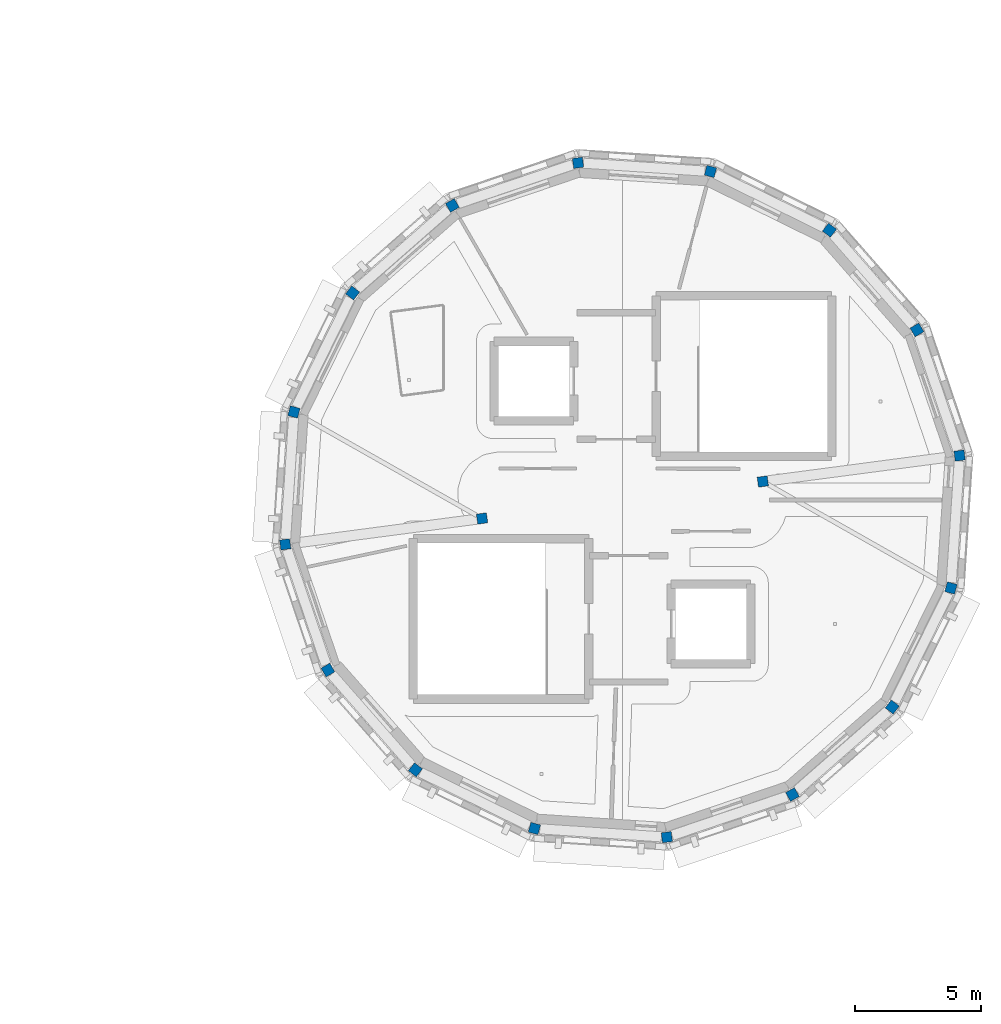
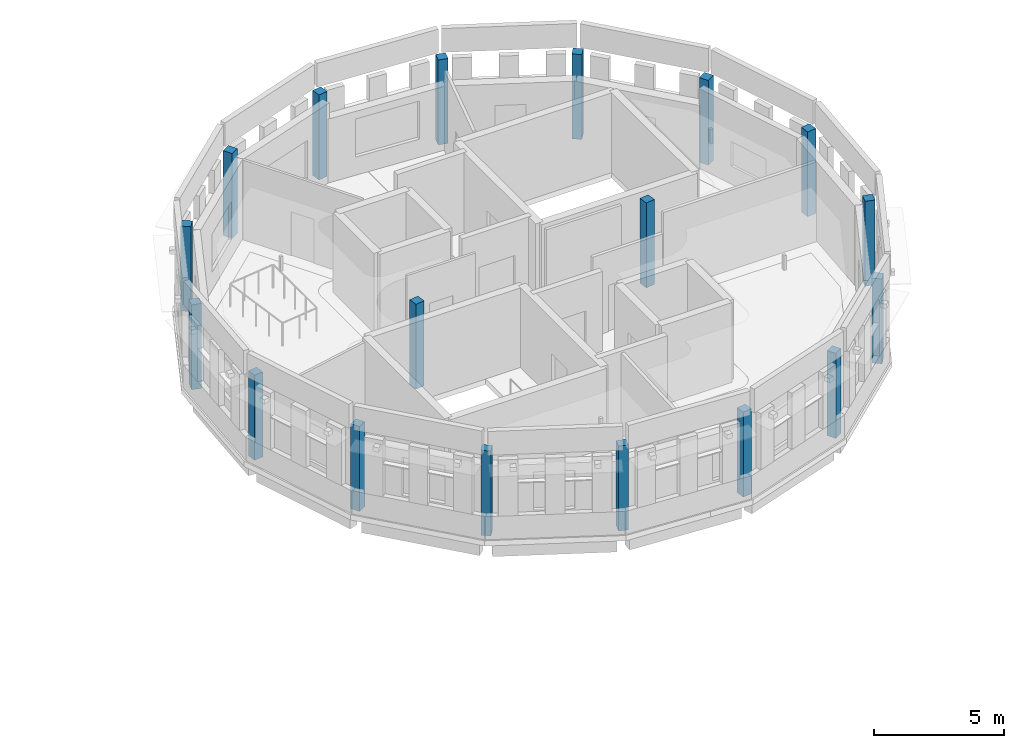
# One storey, part 1 of 18: 18 columns.
"""IFC4 building model written with IfcOpenShell, lengths in metres."""

import ifcopenshell
import ifcopenshell.guid

model = None  # the IFC model being written
_history = None  # IfcOwnerHistory: only IFC2X3 demands one
_inside = {}  # id of a spatial element -> (the spatial element, [elements in it])
_under = {}  # id of a project, library or spatial element -> (it, [spatial elements below it])
_declared = {}  # id of a project -> (the project, [libraries it declares])
_typed = {}  # id of a type object -> (the type object, [elements of that type])
_made_of = {}  # id of a material, layer set ... -> (it, [elements and type objects made of it])


def new_model(schema):
    """Start an empty IFC model of exactly this schema.

    Asked for "IFC4X3", IfcOpenShell would pick the latest addendum, in which some entities
    have other attributes; the version numbers below select the first issue.
    IFC2X3 requires an IfcOwnerHistory on every rooted entity: one is made here for all.
    """
    global model, _history
    if schema == "IFC4X3":
        model = ifcopenshell.file(schema_version=(4, 3, 0, 0))
    else:
        model = ifcopenshell.file(schema=schema)
    _inside.clear()
    _under.clear()
    _declared.clear()
    _typed.clear()
    _made_of.clear()
    _history = None
    if model.schema == "IFC2X3":
        org = make("IfcOrganization", Name="unknown")
        user = make(
            "IfcPersonAndOrganization",
            ThePerson=make("IfcPerson", FamilyName="unknown"),
            TheOrganization=org,
        )
        app = make(
            "IfcApplication",
            ApplicationDeveloper=org,
            Version="unknown",
            ApplicationFullName="unknown",
            ApplicationIdentifier="unknown",
        )
        _history = make(
            "IfcOwnerHistory",
            OwningUser=user,
            OwningApplication=app,
            ChangeAction="ADDED",
            CreationDate=0,
        )
    return model


def make(cls, **values):
    """One entity of the class cls with the attributes given. An attribute that is None is left unset."""
    return model.create_entity(
        cls, **{name: value for name, value in values.items() if value is not None}
    )


def rooted(cls, **values):
    """An entity with a GlobalId (a new one), such as an element, a storey or a relation."""
    return make(cls, GlobalId=ifcopenshell.guid.new(), OwnerHistory=_history, **values)


def si_unit(unit_type, name, prefix=None):
    """IfcSIUnit, for example si_unit("LENGTHUNIT", "METRE", prefix="MILLI")."""
    return make("IfcSIUnit", UnitType=unit_type, Prefix=prefix, Name=name)


def assignment(units):
    """IfcUnitAssignment: the units of a project."""
    return None if units is None else make("IfcUnitAssignment", Units=units)


def point(xyz):
    """IfcCartesianPoint."""
    return None if xyz is None else make("IfcCartesianPoint", Coordinates=xyz)


def direction(xyz):
    """IfcDirection."""
    return None if xyz is None else make("IfcDirection", DirectionRatios=xyz)


def frame(location, z_axis=None, x_axis=None):
    """IfcAxis2Placement3D, a coordinate frame: its origin and axes. An axis left out is left unset."""
    return make(
        "IfcAxis2Placement3D",
        Location=point(location),
        Axis=direction(z_axis),
        RefDirection=direction(x_axis),
    )


def frame_2d(location, x_axis=None):
    """IfcAxis2Placement2D, a coordinate frame in the plane: its origin and x axis."""
    return make(
        "IfcAxis2Placement2D", Location=point(location), RefDirection=direction(x_axis)
    )


def origin():
    """The frame at (0, 0, 0) with its axes left unset."""
    return frame((0.0, 0.0, 0.0))


def origin_2d():
    """The frame at (0, 0) in the plane with its x axis left unset."""
    return frame_2d((0.0, 0.0))


def place(relative_to, where):
    """IfcLocalPlacement: puts the frame where relative to a parent placement (None: the world)."""
    return make(
        "IfcLocalPlacement", PlacementRelTo=relative_to, RelativePlacement=where
    )


def context(
    kind, dimensions, precision=None, world=None, true_north=None, identifier=None
):
    """IfcGeometricRepresentationContext, for example the 3D "Model" context."""
    return make(
        "IfcGeometricRepresentationContext",
        ContextIdentifier=identifier,
        ContextType=kind,
        CoordinateSpaceDimension=dimensions,
        Precision=precision,
        WorldCoordinateSystem=world,
        TrueNorth=true_north,
    )


def subcontext(parent, identifier, kind, view, scale=None):
    """IfcGeometricRepresentationSubContext, for example "Body" below "Model"."""
    return make(
        "IfcGeometricRepresentationSubContext",
        ContextIdentifier=identifier,
        ContextType=kind,
        ParentContext=parent,
        TargetScale=scale,
        TargetView=view,
    )


def project(units=None, contexts=None):
    """IfcProject with its units and contexts."""
    return rooted(
        "IfcProject",
        Name="project",
        RepresentationContexts=contexts,
        UnitsInContext=assignment(units),
    )


def spatial(cls, under=None, at=None, **own):
    """A site, building, storey or space (cls), placed at a placement, below another one or the project."""
    s = rooted(cls, ObjectPlacement=at, **own)
    if under is not None:
        _under.setdefault(under.id(), (under, []))[1].append(s)
    return s


def profile(cls, at=None, kind="AREA", **sizes):
    """A parametric profile (cls). Its sizes go by their IFC names, for example OverallWidth=200.0."""
    return make(cls, ProfileType=kind, Position=at, **sizes)


def rectangle(**sizes):
    """IfcRectangleProfileDef."""
    return profile("IfcRectangleProfileDef", **sizes)


def extrude(swept, where, along, depth):
    """IfcExtrudedAreaSolid: the profile swept, set in the frame where, extruded along a direction by depth."""
    return make(
        "IfcExtrudedAreaSolid",
        SweptArea=swept,
        Position=where,
        ExtrudedDirection=direction(along),
        Depth=depth,
    )


def shape(context_of_items, identifier, shape_type, items):
    """IfcShapeRepresentation: the items that make up one representation, for example the "Body"."""
    return make(
        "IfcShapeRepresentation",
        ContextOfItems=context_of_items,
        RepresentationIdentifier=identifier,
        RepresentationType=shape_type,
        Items=items,
    )


def material(Name=None, Category=None):
    """IfcMaterial."""
    return make("IfcMaterial", Name=Name, Category=Category)


def material_profile(
    of_material, cross_section, Name=None, Category=None, Priority=None
):
    """IfcMaterialProfile: a cross section and its material."""
    return make(
        "IfcMaterialProfile",
        Name=Name,
        Material=of_material,
        Profile=cross_section,
        Priority=Priority,
        Category=Category,
    )


def profile_set(profiles, Name=None, composite=None):
    """IfcMaterialProfileSet."""
    return make(
        "IfcMaterialProfileSet",
        Name=Name,
        MaterialProfiles=profiles,
        CompositeProfile=composite,
    )


def made_of(thing, what):
    """Note that an element or type object is made of a material, layer set ...; save() writes the relation."""
    if what is not None:
        _made_of.setdefault(what.id(), (what, []))[1].append(thing)
    return thing


def type_object(cls, material=None, **own):
    """A type object (cls), such as IfcWallType, which elements share."""
    return made_of(rooted(cls, **own), material)


def element(
    cls,
    number,
    at=None,
    inside=None,
    cuts=None,
    type_object=None,
    material=None,
    context=None,
    identifier="Body",
    shape_type=None,
    held_by="IfcProductDefinitionShape",
    body=None,
    shapes=None,
    **own,
):
    """One element of the class cls, such as IfcWall. Its Tag is "e" and its number.

    at: its placement. inside: the storey or other place that contains it. cuts: it is an
    opening in that element (IfcRelVoidsElement). A single representation is given by context,
    identifier, shape_type and body (its items); several are given by shapes. held_by: the class
    of the entity that holds the representations. save() writes the other relations.
    """
    e = rooted(cls, Tag="e%d" % number, ObjectPlacement=at, **own)
    if body is not None:
        shapes = [shape(context, identifier, shape_type, body)]
    if shapes is not None:
        e.Representation = make(held_by, Representations=shapes)
    if inside is not None:
        _inside.setdefault(inside.id(), (inside, []))[1].append(e)
    if cuts is not None:
        rooted(
            "IfcRelVoidsElement", RelatingBuildingElement=cuts, RelatedOpeningElement=e
        )
    if type_object is not None:
        _typed.setdefault(type_object.id(), (type_object, []))[1].append(e)
    return made_of(e, material)


def aggregate(whole, parts):
    """IfcRelAggregates: a whole, such as a stair, and the parts it consists of."""
    return rooted("IfcRelAggregates", RelatingObject=whole, RelatedObjects=parts)


def save(model, path):
    """Write the relations noted so far, then the file.

    IfcRelAggregates (storeys below a building ...), IfcRelContainedInSpatialStructure (elements
    in a storey), IfcRelDefinesByType, IfcRelAssociatesMaterial and IfcRelDeclares: one each for
    every whole, place, type object, material and project.
    """
    for whole, parts in _under.values():
        aggregate(whole, parts)
    for where, things in _inside.values():
        rooted(
            "IfcRelContainedInSpatialStructure",
            RelatedElements=things,
            RelatingStructure=where,
        )
    for kind, things in _typed.values():
        rooted("IfcRelDefinesByType", RelatedObjects=things, RelatingType=kind)
    for what, things in _made_of.values():
        rooted("IfcRelAssociatesMaterial", RelatedObjects=things, RelatingMaterial=what)
    for by, libraries in _declared.values():
        rooted("IfcRelDeclares", RelatingContext=by, RelatedDefinitions=libraries)
    model.write(path)


model = new_model("IFC4")

# Units and contexts
model_context = context("Model", 3, precision=1e-05, world=origin(), true_north=direction((0.0, 1.0)))
body_context = subcontext(model_context, "Body", "Model", "MODEL_VIEW")
ifc_project = project(units=[si_unit("LENGTHUNIT", "METRE"), si_unit("AREAUNIT", "SQUARE_METRE"), si_unit("VOLUMEUNIT", "CUBIC_METRE"), si_unit("PLANEANGLEUNIT", "RADIAN"), si_unit("MASSUNIT", "GRAM", prefix="KILO")], contexts=[model_context])

# Site, building, storey
site_placement = place(None, origin())
site = spatial("IfcSite", under=ifc_project, at=site_placement, CompositionType="ELEMENT")
building_placement = place(site_placement, origin())
building = spatial("IfcBuilding", under=site, at=building_placement, Name="Wrenclough Park School", CompositionType="ELEMENT")
storey_placement = place(building_placement, frame((0.0, 0.0, 20.800048828125)))
storey = spatial("IfcBuildingStorey", under=building, at=storey_placement, Name="L05", CompositionType="ELEMENT", Elevation=20.800048828125)

# Columns
ifc_material = material(Name="Concrete C40/50", Category="concrete")
ifc_material_profile = material_profile(ifc_material, rectangle(XDim=0.39990234375, YDim=0.39990234375, at=origin_2d()), Name="RC COL 400x400")
ifc_profile_set = profile_set([ifc_material_profile], Name="Concrete C40/50")
column_type = type_object("IfcColumnType", Name="STR-COL-RC400", PredefinedType="COLUMN", material=ifc_profile_set)
for number, where, z_axis, x_axis, name in (
    (1, (187.8349609375, 95.255615234375, 0.0), (0.0, 0.0, 1.0), (-0.13052619222, 0.991444861374, 0.0), "D5 L05 column D5-MID-01"),
    (2, (186.14794921875, 100.22509765625, 0.0), (0.0, 0.0, 1.0), (-0.5, 0.866025403784, 0.0), "D5 L05 column D5-MID-02"),
    (3, (182.687744140625, 104.170654296875, 0.0), (0.0, 0.0, 1.0), (-0.793353340291, 0.608761429009, 0.0), "D5 L05 column D5-MID-03"),
    (4, (177.981201171875, 106.49169921875, 0.0), (0.0, 0.0, 1.0), (-0.965925826289, 0.258819045103, 0.0), "D5 L05 column D5-MID-04"),
    (5, (172.744384765625, 106.8349609375, 0.0), (0.0, 0.0, 1.0), (-0.991444861374, -0.13052619222, 0.0), "D5 L05 column D5-MID-05"),
    (6, (167.77490234375, 105.14794921875, 0.0), (0.0, 0.0, 1.0), (-0.866025403784, -0.5, 0.0), "D5 L05 column D5-MID-06"),
    (7, (163.829345703125, 101.687744140625, 0.0), (0.0, 0.0, 1.0), (-0.608761429009, -0.793353340291, 0.0), "D5 L05 column D5-MID-07"),
    (8, (161.50830078125, 96.981201171875, 0.0), (0.0, 0.0, 1.0), (-0.258819045103, -0.965925826289, 0.0), "D5 L05 column D5-MID-08"),
    (9, (161.1650390625, 91.744384765625, 0.0), (0.0, 0.0, 1.0), (0.13052619222, -0.991444861374, 0.0), "D5 L05 column D5-MID-09"),
    (10, (162.85205078125, 86.77490234375, 0.0), (0.0, 0.0, 1.0), (0.5, -0.866025403784, 0.0), "D5 L05 column D5-MID-10"),
    (11, (166.312255859375, 82.829345703125, 0.0), (0.0, 0.0, 1.0), (0.793353340291, -0.608761429009, 0.0), "D5 L05 column D5-MID-11"),
    (12, (171.018798828125, 80.50830078125, 0.0), (0.0, 0.0, 1.0), (0.965925826289, -0.258819045103, 0.0), "D5 L05 column D5-MID-12"),
    (13, (176.255615234375, 80.1650390625, 0.0), (0.0, 0.0, 1.0), (0.991444861374, 0.13052619222, 0.0), "D5 L05 column D5-MID-13"),
    (14, (181.22509765625, 81.85205078125, 0.0), (0.0, 0.0, 1.0), (0.866025403784, 0.5, 0.0), "D5 L05 column D5-MID-14"),
    (15, (185.170654296875, 85.312255859375, 0.0), (0.0, 0.0, 1.0), (0.608761429009, 0.793353340291, 0.0), "D5 L05 column D5-MID-15"),
    (16, (187.49169921875, 90.018798828125, 0.0), (0.0, 0.0, 1.0), (0.258819045103, 0.965925826289, 0.0), "D5 L05 column D5-MID-16"),
    (17, (180.052001953125, 94.23095703125, 0.0), (0.0, 0.0, 1.0), (0.991444861374, 0.13052619222, 0.0), "D5 L05 column D5-INN-01"),
    (18, (168.947998046875, 92.76904296875, 0.0), (0.0, 0.0, 1.0), (-0.991444861374, -0.13052619222, 0.0), "D5 L05 column D5-INN-05"),
):
    element("IfcColumn", number, at=place(storey_placement, frame(where, z_axis=z_axis, x_axis=x_axis)), inside=storey, type_object=column_type, Name=name, PredefinedType="COLUMN", context=body_context, shape_type="SweptSolid", body=[
        extrude(rectangle(XDim=0.39990234375, YDim=0.39990234375, at=origin_2d()), origin(), (0.0, 0.0, 1.0), 4.0),
    ])

save(model, "model.ifc")
